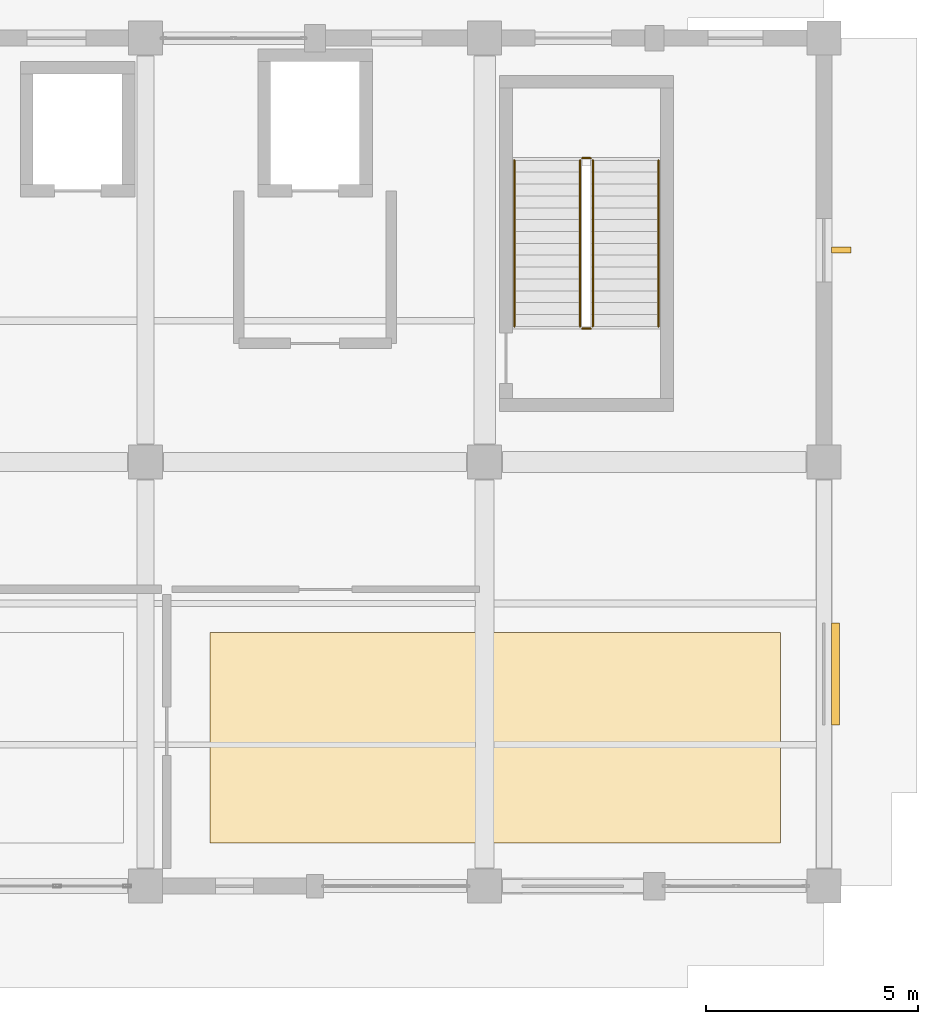
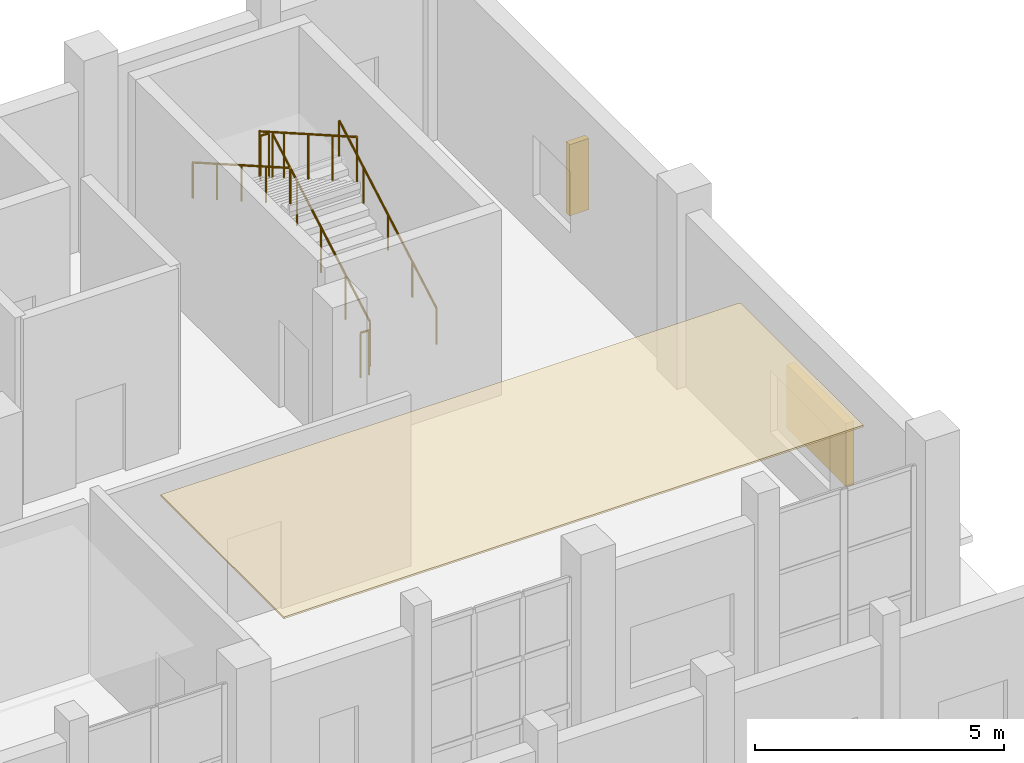
# One storey, part 156 of 156: 6 railings, 2 shading devices, 1 covering.
"""IFC4 building model written with IfcOpenShell, lengths in metres."""

from ifc_helpers import new_model, si_unit, direction, frame, origin, origin_2d, place, context, subcontext, project, spatial, polyline, rectangle, circle, outline, extrude, material, layer, layer_set, type_object, element, save


model = new_model("IFC4")

# Units and contexts
model_context = context("Model", 3, precision=1e-05, world=origin(), true_north=direction((0.0, 1.0)))
body_context = subcontext(model_context, "Body", "Model", "MODEL_VIEW")
ifc_project = project(units=[si_unit("LENGTHUNIT", "METRE"), si_unit("AREAUNIT", "SQUARE_METRE"), si_unit("VOLUMEUNIT", "CUBIC_METRE"), si_unit("PLANEANGLEUNIT", "RADIAN"), si_unit("MASSUNIT", "GRAM", prefix="KILO")], contexts=[model_context])

# Site, building, storey
site_placement = place(None, origin())
site = spatial("IfcSite", under=ifc_project, at=site_placement, CompositionType="ELEMENT")
building_placement = place(site_placement, origin())
building = spatial("IfcBuilding", under=site, at=building_placement, Name="Luwemba Playhouse", CompositionType="ELEMENT")
storey_placement = place(building_placement, origin())
storey = spatial("IfcBuildingStorey", under=building, at=storey_placement, Name="L00", CompositionType="ELEMENT", Elevation=0.0)

# Covering
ifc_material_1 = material(Name="Perforated acoustic gypsum and timber baffle ceiling", Category="wood")
ifc_layer = layer(ifc_material_1, 0.044921875)
ifc_layer_set = layer_set([ifc_layer], Name="Perforated acoustic gypsum and timber baffle ceiling")
covering_type = type_object("IfcCoveringType", Name="COV-CEIL-AC", PredefinedType="CEILING", material=ifc_layer_set)
covering_placement = place(storey_placement, frame((0.0, 0.0, 4.5048828125)))
element("IfcCovering", 1, at=covering_placement, inside=storey, type_object=covering_type, Name="L00 Youth Drama Classroom East acoustic ceiling cloud", PredefinedType="CEILING", context=body_context, shape_type="SweptSolid", body=[
    extrude(outline(polyline([(157.52001953125, 96.02001953125), (170.97998046875, 96.02001953125), (170.97998046875, 100.97998046875), (157.52001953125, 100.97998046875), (157.52001953125, 96.02001953125)])), origin(), (0.0, 0.0, 1.0), 0.045166015625),
])

# Railings
ifc_material_2 = material(Name="Painted wrought-iron gallery balustrade", Category="steel")
railing_type_1 = type_object("IfcRailingType", Name="RLG-BAL-INT", PredefinedType="BALUSTRADE", material=ifc_material_2)
railing_1_placement = place(storey_placement, frame((166.550048828125, 108.199951171875, 0.159912109375)))
element("IfcRailing", 2, at=railing_1_placement, inside=storey, type_object=railing_type_1, Name="L00 ST-10 stair guard 1", PredefinedType="BALUSTRADE", context=body_context, shape_type="SweptSolid", body=[
    extrude(circle(Radius=0.02392578125, at=origin_2d()), frame((0.0, 0.0, 1.09619140625), z_axis=(0.0, 0.86825312469, 0.496121468458), x_axis=(-1.0, 0.0, 0.0)), (0.0, 0.0, 1.0), 4.514892578125),
    extrude(circle(Radius=0.02099609375, at=origin_2d()), origin(), (0.0, 0.0, 1.0), 1.072021484375),
    extrude(circle(Radius=0.02099609375, at=origin_2d()), frame((0.0, 0.97998046875, 0.56005859375)), (0.0, 0.0, 1.0), 1.072021484375),
    extrude(circle(Radius=0.02099609375, at=origin_2d()), frame((0.0, 1.9599609375, 1.1201171875)), (0.0, 0.0, 1.0), 1.072021484375),
    extrude(circle(Radius=0.02099609375, at=origin_2d()), frame((0.0, 2.940185546875, 1.679931640625)), (0.0, 0.0, 1.0), 1.072021484375),
    extrude(circle(Radius=0.02099609375, at=origin_2d()), frame((0.0, 3.920166015625, 2.239990234375)), (0.0, 0.0, 1.0), 1.072021484375),
])
railing_2_placement = place(storey_placement, frame((166.5, 112.169921875, 2.39990234375)))
element("IfcRailing", 3, at=railing_2_placement, inside=storey, type_object=railing_type_1, Name="L00 ST-10 stair guard 2", PredefinedType="BALUSTRADE", context=body_context, shape_type="SweptSolid", body=[
    extrude(circle(Radius=0.02392578125, at=origin_2d()), frame((0.0, 0.0, 1.09619140625), z_axis=(-1.0, 0.0, 0.0), x_axis=(0.0, -1.0, 0.0)), (0.0, 0.0, 1.0), 0.199951171875),
    extrude(circle(Radius=0.02099609375, at=origin_2d()), origin(), (0.0, 0.0, 1.0), 1.072021484375),
    extrude(circle(Radius=0.02099609375, at=origin_2d()), frame((-0.199951171875, 0.0, 0.0)), (0.0, 0.0, 1.0), 1.072021484375),
])
railing_3_placement = place(storey_placement, frame((166.25, 112.1201171875, 2.56005859375)))
element("IfcRailing", 4, at=railing_3_placement, inside=storey, type_object=railing_type_1, Name="L00 ST-10 stair guard 3", PredefinedType="BALUSTRADE", context=body_context, shape_type="SweptSolid", body=[
    extrude(circle(Radius=0.02392578125, at=origin_2d()), frame((0.0, 0.0, 1.09619140625), z_axis=(0.0, -0.86825312469, 0.496121468458), x_axis=(1.0, 0.0, 0.0)), (0.0, 0.0, 1.0), 4.514892578125),
    extrude(circle(Radius=0.02099609375, at=origin_2d()), origin(), (0.0, 0.0, 1.0), 1.072021484375),
    extrude(circle(Radius=0.02099609375, at=origin_2d()), frame((0.0, -0.97998046875, 0.56005859375)), (0.0, 0.0, 1.0), 1.072021484375),
    extrude(circle(Radius=0.02099609375, at=origin_2d()), frame((0.0, -1.9599609375, 1.1201171875)), (0.0, 0.0, 1.0), 1.072021484375),
    extrude(circle(Radius=0.02099609375, at=origin_2d()), frame((0.0, -2.940185546875, 1.679931640625)), (0.0, 0.0, 1.0), 1.072021484375),
    extrude(circle(Radius=0.02099609375, at=origin_2d()), frame((0.0, -3.920166015625, 2.239990234375)), (0.0, 0.0, 1.0), 1.072021484375),
])
railing_4_placement = place(storey_placement, frame((166.5, 108.14990234375, 0.0)))
element("IfcRailing", 5, at=railing_4_placement, inside=storey, type_object=railing_type_1, Name="L00 ST-10 stair guard 4", PredefinedType="BALUSTRADE", context=body_context, shape_type="SweptSolid", body=[
    extrude(circle(Radius=0.02392578125, at=origin_2d()), frame((0.0, 0.0, 1.09619140625), z_axis=(-1.0, 0.0, 0.0), x_axis=(0.0, -1.0, 0.0)), (0.0, 0.0, 1.0), 0.199951171875),
    extrude(circle(Radius=0.02099609375, at=origin_2d()), origin(), (0.0, 0.0, 1.0), 1.072021484375),
    extrude(circle(Radius=0.02099609375, at=origin_2d()), frame((-0.199951171875, 0.0, 0.0)), (0.0, 0.0, 1.0), 1.072021484375),
])
ifc_material_3 = material(Name="Hardwood and bronze handrail", Category="wood")
railing_type_2 = type_object("IfcRailingType", Name="RLG-HR-INT", PredefinedType="HANDRAIL", material=ifc_material_3)
railing_5_placement = place(storey_placement, frame((168.10009765625, 108.199951171875, 0.159912109375)))
element("IfcRailing", 6, at=railing_5_placement, inside=storey, type_object=railing_type_2, Name="L00 ST-10 stair handrail 1", PredefinedType="HANDRAIL", context=body_context, shape_type="SweptSolid", body=[
    extrude(circle(Radius=0.02392578125, at=origin_2d()), frame((0.0, 0.0, 0.8759765625), z_axis=(0.0, 0.86825312469, 0.496121468458), x_axis=(-1.0, 0.0, 0.0)), (0.0, 0.0, 1.0), 4.514892578125),
    extrude(circle(Radius=0.02099609375, at=origin_2d()), origin(), (0.0, 0.0, 1.0), 0.851806640625),
    extrude(circle(Radius=0.02099609375, at=origin_2d()), frame((0.0, 0.97998046875, 0.56005859375)), (0.0, 0.0, 1.0), 0.851806640625),
    extrude(circle(Radius=0.02099609375, at=origin_2d()), frame((0.0, 1.9599609375, 1.1201171875)), (0.0, 0.0, 1.0), 0.851806640625),
    extrude(circle(Radius=0.02099609375, at=origin_2d()), frame((0.0, 2.940185546875, 1.679931640625)), (0.0, 0.0, 1.0), 0.851806640625),
    extrude(circle(Radius=0.02099609375, at=origin_2d()), frame((0.0, 3.920166015625, 2.239990234375)), (0.0, 0.0, 1.0), 0.851806640625),
])
railing_6_placement = place(storey_placement, frame((164.699951171875, 112.1201171875, 2.56005859375)))
element("IfcRailing", 7, at=railing_6_placement, inside=storey, type_object=railing_type_2, Name="L00 ST-10 stair handrail 2", PredefinedType="HANDRAIL", context=body_context, shape_type="SweptSolid", body=[
    extrude(circle(Radius=0.02392578125, at=origin_2d()), frame((0.0, 0.0, 0.8759765625), z_axis=(0.0, -0.86825312469, 0.496121468458), x_axis=(1.0, 0.0, 0.0)), (0.0, 0.0, 1.0), 4.514892578125),
    extrude(circle(Radius=0.02099609375, at=origin_2d()), origin(), (0.0, 0.0, 1.0), 0.851806640625),
    extrude(circle(Radius=0.02099609375, at=origin_2d()), frame((0.0, -0.97998046875, 0.56005859375)), (0.0, 0.0, 1.0), 0.851806640625),
    extrude(circle(Radius=0.02099609375, at=origin_2d()), frame((0.0, -1.9599609375, 1.1201171875)), (0.0, 0.0, 1.0), 0.851806640625),
    extrude(circle(Radius=0.02099609375, at=origin_2d()), frame((0.0, -2.940185546875, 1.679931640625)), (0.0, 0.0, 1.0), 0.851806640625),
    extrude(circle(Radius=0.02099609375, at=origin_2d()), frame((0.0, -3.920166015625, 2.239990234375)), (0.0, 0.0, 1.0), 0.851806640625),
])

# Shading devices
ifc_material_4 = material(Name="Extruded terracotta brise-soleil fin on steel bracket", Category="masonry")
shading_device_type_1 = type_object("IfcShadingDeviceType", Name="SHD-BRISE", PredefinedType="USERDEFINED", material=ifc_material_4)
shading_device_1_placement = place(storey_placement, frame((172.409912109375, 110.0, 0.824951171875), z_axis=(0.0, 0.0, 1.0), x_axis=(0.0, -1.0, 0.0)))
element("IfcShadingDevice", 8, at=shading_device_1_placement, inside=storey, type_object=shading_device_type_1, Name="L00 terracotta brise-soleil fin 015", ObjectType="TERRACOTTA BRISE SOLEIL", PredefinedType="USERDEFINED", context=body_context, shape_type="SweptSolid", body=[
    extrude(rectangle(XDim=0.139892578125, YDim=0.449951171875, at=origin_2d()), origin(), (0.0, 0.0, 1.0), 1.75),
])
ifc_material_5 = material(Name="Kiln-fired terracotta gelosia louvre screen", Category="masonry")
shading_device_type_2 = type_object("IfcShadingDeviceType", Name="SHD-GELOSIA", PredefinedType="JALOUSIE", material=ifc_material_5)
shading_device_2_placement = place(storey_placement, frame((172.27490234375, 100.0, 0.9248046875), z_axis=(0.0, 0.0, 1.0), x_axis=(0.0, -1.0, 0.0)))
element("IfcShadingDevice", 9, at=shading_device_2_placement, inside=storey, type_object=shading_device_type_2, Name="L00 fired-clay gelosia screen 016", PredefinedType="JALOUSIE", context=body_context, shape_type="SweptSolid", body=[
    extrude(rectangle(XDim=2.39990234375, YDim=0.179931640625, at=origin_2d()), origin(), (0.0, 0.0, 1.0), 1.550048828125),
])

save(model, "model.ifc")
